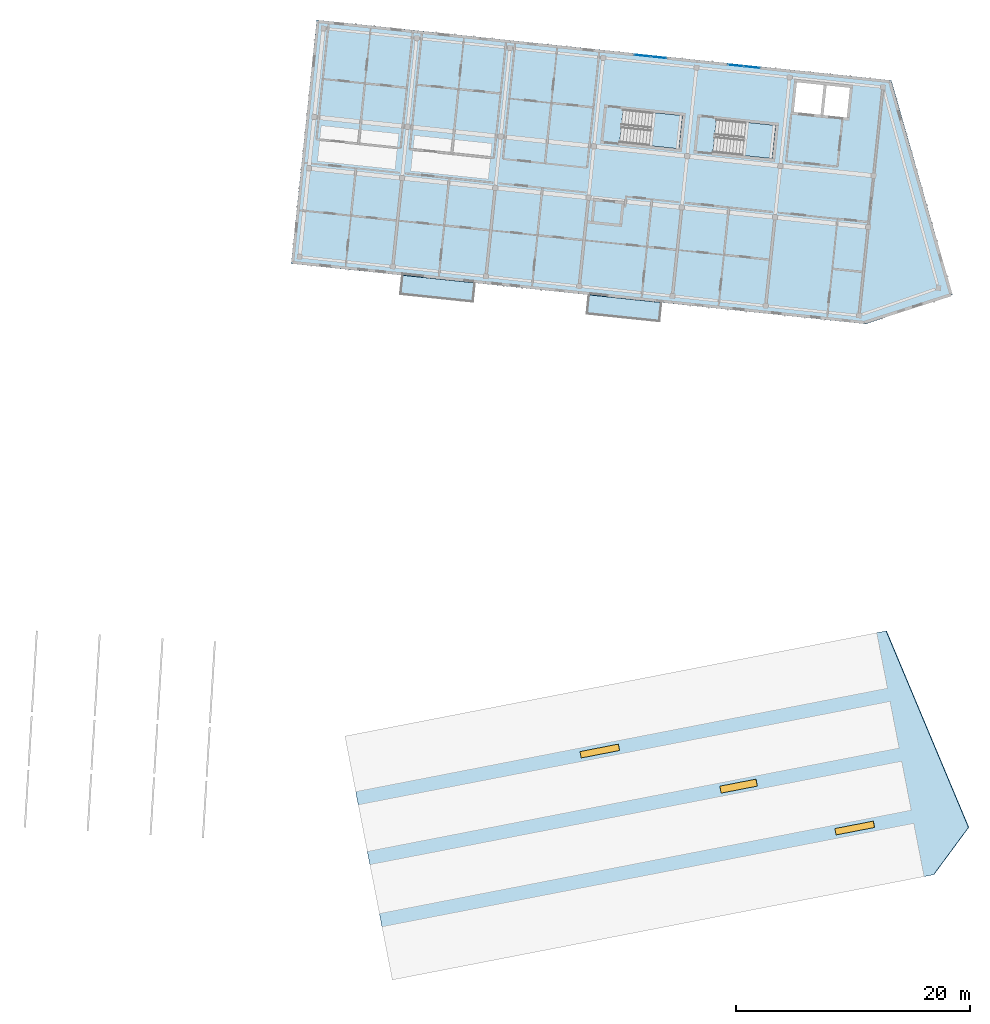
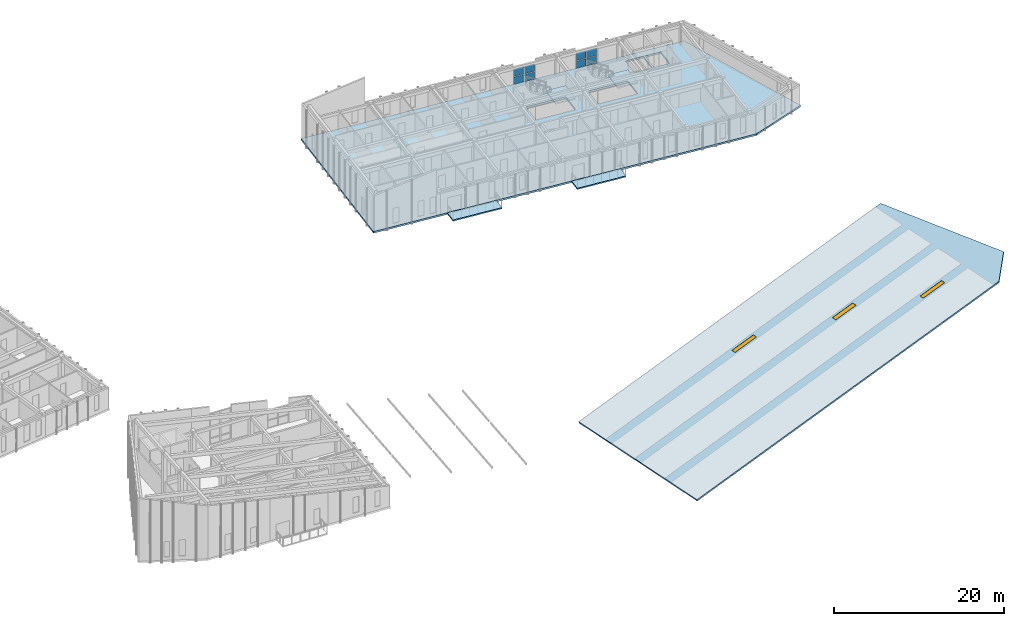
# One storey, part 16 of 45: 8 plates, 6 slabs, 3 windows, 3 openings, 4 elements without a shape of their own.
"""IFC4 building model written with IfcOpenShell, lengths in metres."""

from ifc_helpers import new_model, si_unit, direction, frame, origin, origin_2d, place, context, subcontext, project, spatial, polyline, rectangle, outline, extrude, material, layer, layer_set, type_object, element, fill, aggregate, save


model = new_model("IFC4")

# Units and contexts
model_context = context("Model", 3, precision=1e-05, world=origin(), true_north=direction((0.0, 1.0)))
body_context = subcontext(model_context, "Body", "Model", "MODEL_VIEW")
ifc_project = project(units=[si_unit("LENGTHUNIT", "METRE"), si_unit("AREAUNIT", "SQUARE_METRE"), si_unit("VOLUMEUNIT", "CUBIC_METRE"), si_unit("PLANEANGLEUNIT", "RADIAN"), si_unit("MASSUNIT", "GRAM", prefix="KILO")], contexts=[model_context])

# Site, building, storey
site_placement = place(None, origin())
site = spatial("IfcSite", under=ifc_project, at=site_placement, CompositionType="ELEMENT")
building_placement = place(site_placement, origin())
building = spatial("IfcBuilding", under=site, at=building_placement, Name="Kestramere Prow Commons", CompositionType="ELEMENT")
storey_placement = place(building_placement, frame((0.0, 0.0, 31.14990234375)))
storey = spatial("IfcBuildingStorey", under=building, at=storey_placement, Name="L09", CompositionType="ELEMENT", Elevation=31.14990234375)

# Curtain wall, plates
ifc_material_1 = material(Name="Anodised Aluminium and Low-E Glass", Category="aluminium")
curtain_wall_type = type_object("IfcCurtainWallType", Name="CW-03 Glazed Curtain Wall 2830x2320", PredefinedType="USERDEFINED", material=ifc_material_1)
curtain_wall_1_placement = place(storey_placement, origin())
curtain_wall_1 = element("IfcCurtainWall", 1, at=curtain_wall_1_placement, inside=storey, type_object=curtain_wall_type, Name="Block B L09 Stairwell Vertical Glazing 4", ObjectType="GLAZED CURTAIN WALL", PredefinedType="USERDEFINED")
ifc_material_2 = material(Name="Low-E Laminated Double Glazing", Category="glass")
ifc_layer_1 = layer(ifc_material_2, 0.028076171875)
ifc_layer_set_1 = layer_set([ifc_layer_1], Name="Low-E Laminated Double Glazing")
plate_type = type_object("IfcPlateType", Name="CW-PNL-28", PredefinedType="CURTAIN_PANEL", material=ifc_layer_set_1)
plate_1_placement = place(storey_placement, frame((139.2626953125, 111.960205078125, 0.065185546875), z_axis=(0.0, 0.0, 1.0), x_axis=(0.994521879016, -0.104528618845, 0.0)))
plate_1 = element("IfcPlate", 2, at=plate_1_placement, type_object=plate_type, Name="CW-03 panel 1.1", PredefinedType="CURTAIN_PANEL", context=body_context, shape_type="SweptSolid", body=[
    extrude(rectangle(XDim=1.3173828125, YDim=0.028076171875, at=origin_2d()), origin(), (0.0, 0.0, 1.0), 1.0625),
])
plate_2_placement = place(storey_placement, frame((139.2626953125, 111.960205078125, 1.192626953125), z_axis=(0.0, 0.0, 1.0), x_axis=(0.994521879016, -0.104528618845, 0.0)))
plate_2 = element("IfcPlate", 3, at=plate_2_placement, type_object=plate_type, Name="CW-03 panel 1.2", PredefinedType="CURTAIN_PANEL", context=body_context, shape_type="SweptSolid", body=[
    extrude(rectangle(XDim=1.3173828125, YDim=0.028076171875, at=origin_2d()), origin(), (0.0, 0.0, 1.0), 1.0625),
])
plate_3_placement = place(storey_placement, frame((140.6376953125, 111.815673828125, 0.065185546875), z_axis=(0.0, 0.0, 1.0), x_axis=(0.994521879016, -0.104528618845, 0.0)))
plate_3 = element("IfcPlate", 4, at=plate_3_placement, type_object=plate_type, Name="CW-03 panel 2.1", PredefinedType="CURTAIN_PANEL", context=body_context, shape_type="SweptSolid", body=[
    extrude(rectangle(XDim=1.3173828125, YDim=0.028076171875, at=origin_2d()), origin(), (0.0, 0.0, 1.0), 1.0625),
])
plate_4_placement = place(storey_placement, frame((140.6376953125, 111.815673828125, 1.192626953125), z_axis=(0.0, 0.0, 1.0), x_axis=(0.994521879016, -0.104528618845, 0.0)))
plate_4 = element("IfcPlate", 5, at=plate_4_placement, type_object=plate_type, Name="CW-03 panel 2.2", PredefinedType="CURTAIN_PANEL", context=body_context, shape_type="SweptSolid", body=[
    extrude(rectangle(XDim=1.3173828125, YDim=0.028076171875, at=origin_2d()), origin(), (0.0, 0.0, 1.0), 1.0625),
])
aggregate(curtain_wall_1, [plate_1, plate_2, plate_3, plate_4])

curtain_wall_2_placement = place(storey_placement, origin())
curtain_wall_2 = element("IfcCurtainWall", 6, at=curtain_wall_2_placement, inside=storey, type_object=curtain_wall_type, Name="Block B L09 Stairwell Vertical Glazing 5", ObjectType="GLAZED CURTAIN WALL", PredefinedType="USERDEFINED")
plate_5_placement = place(storey_placement, frame((147.218994140625, 111.1240234375, 0.065185546875), z_axis=(0.0, 0.0, 1.0), x_axis=(0.99452191575, -0.104528269348, 0.0)))
plate_5 = element("IfcPlate", 7, at=plate_5_placement, type_object=plate_type, Name="CW-03 panel 1.1", PredefinedType="CURTAIN_PANEL", context=body_context, shape_type="SweptSolid", body=[
    extrude(rectangle(XDim=1.3173828125, YDim=0.028076171875, at=origin_2d()), origin(), (0.0, 0.0, 1.0), 1.0625),
])
plate_6_placement = place(storey_placement, frame((147.218994140625, 111.1240234375, 1.192626953125), z_axis=(0.0, 0.0, 1.0), x_axis=(0.99452191575, -0.104528269348, 0.0)))
plate_6 = element("IfcPlate", 8, at=plate_6_placement, type_object=plate_type, Name="CW-03 panel 1.2", PredefinedType="CURTAIN_PANEL", context=body_context, shape_type="SweptSolid", body=[
    extrude(rectangle(XDim=1.3173828125, YDim=0.028076171875, at=origin_2d()), origin(), (0.0, 0.0, 1.0), 1.0625),
])
plate_7_placement = place(storey_placement, frame((148.593994140625, 110.9794921875, 0.065185546875), z_axis=(0.0, 0.0, 1.0), x_axis=(0.99452191575, -0.104528269348, 0.0)))
plate_7 = element("IfcPlate", 9, at=plate_7_placement, type_object=plate_type, Name="CW-03 panel 2.1", PredefinedType="CURTAIN_PANEL", context=body_context, shape_type="SweptSolid", body=[
    extrude(rectangle(XDim=1.3173828125, YDim=0.028076171875, at=origin_2d()), origin(), (0.0, 0.0, 1.0), 1.0625),
])
plate_8_placement = place(storey_placement, frame((148.593994140625, 110.9794921875, 1.192626953125), z_axis=(0.0, 0.0, 1.0), x_axis=(0.99452191575, -0.104528269348, 0.0)))
plate_8 = element("IfcPlate", 10, at=plate_8_placement, type_object=plate_type, Name="CW-03 panel 2.2", PredefinedType="CURTAIN_PANEL", context=body_context, shape_type="SweptSolid", body=[
    extrude(rectangle(XDim=1.3173828125, YDim=0.028076171875, at=origin_2d()), origin(), (0.0, 0.0, 1.0), 1.0625),
])
aggregate(curtain_wall_2, [plate_5, plate_6, plate_7, plate_8])

# Slabs
ifc_material_3 = material(Name="Precast concrete C40/50", Category="concrete")
ifc_layer_2 = layer(ifc_material_3, 0.179931640625)
ifc_layer_set_2 = layer_set([ifc_layer_2], Name="Precast concrete C40/50")
slab_type_1 = type_object("IfcSlabType", Name="SL-BALC-180", PredefinedType="FLOOR", material=ifc_layer_set_2)
slab_1_placement = place(storey_placement, frame((0.0, 0.0, -0.179931640625)))
element("IfcSlab", 11, at=slab_1_placement, inside=storey, type_object=slab_type_1, Name="Block B L09 Apartment Balcony Slab 2", PredefinedType="FLOOR", context=body_context, shape_type="SweptSolid", body=[
    extrude(outline(polyline([(118.56103515625, 91.58740234375), (124.82666015625, 90.928955078125), (124.9990234375, 92.570068359375), (118.733642578125, 93.228515625), (118.56103515625, 91.58740234375)])), origin(), (0.0, 0.0, 1.0), 0.179931640625),
])
slab_2_placement = place(storey_placement, frame((0.0, 0.0, -0.179931640625)))
element("IfcSlab", 12, at=slab_2_placement, inside=storey, type_object=slab_type_1, Name="Block B L09 Apartment Balcony Slab 4", PredefinedType="FLOOR", context=body_context, shape_type="SweptSolid", body=[
    extrude(outline(polyline([(134.473388671875, 89.9150390625), (140.739013671875, 89.256591796875), (140.911376953125, 90.8974609375), (134.64599609375, 91.555908203125), (134.473388671875, 89.9150390625)])), origin(), (0.0, 0.0, 1.0), 0.179931640625),
])
ifc_layer_3 = layer(ifc_material_3, 0.25)
ifc_layer_set_3 = layer_set([ifc_layer_3], Name="Precast concrete C40/50")
slab_type_2 = type_object("IfcSlabType", Name="SL-HC-250", PredefinedType="FLOOR", material=ifc_layer_set_3)
slab_3_placement = place(storey_placement, frame((0.0, 0.0, -0.25)))
element("IfcSlab", 13, at=slab_3_placement, inside=storey, type_object=slab_type_2, Name="Block B L09 Hollowcore Floor Slab", PredefinedType="FLOOR", context=body_context, shape_type="SweptSolid", body=[
    extrude(outline(polyline([(109.28564453125, 94.221435546875), (158.3154296875, 89.068359375), (165.71630859375, 91.558349609375), (160.500244140625, 109.853759765625), (111.47021484375, 115.007080078125), (109.28564453125, 94.221435546875)]), holes=[polyline([(152.1728515625, 107.159423828125), (154.46044921875, 106.9189453125), (154.726806640625, 109.455078125), (152.439453125, 109.695556640625), (152.1728515625, 107.159423828125)]), polyline([(154.708984375, 106.892822265625), (156.697998046875, 106.683837890625), (156.964599609375, 109.219970703125), (154.9755859375, 109.428955078125), (154.708984375, 106.892822265625)]), polyline([(137.318603515625, 104.5478515625), (142.390625, 104.0146484375), (142.6884765625, 106.84912109375), (137.616455078125, 107.38232421875), (137.318603515625, 104.5478515625)]), polyline([(145.274658203125, 103.711669921875), (150.346923828125, 103.178466796875), (150.644775390625, 106.012939453125), (145.57275390625, 106.5458984375), (145.274658203125, 103.711669921875)])]), origin(), (0.0, 0.0, 1.0), 0.25),
])

# Slab, openings, windows
ifc_layer_4 = layer(ifc_material_3, 0.219970703125)
ifc_layer_set_4 = layer_set([ifc_layer_4], Name="Precast concrete C40/50")
slab_type_3 = type_object("IfcSlabType", Name="SL-ROOF-PROW-220", PredefinedType="ROOF", material=ifc_layer_set_4)
slab_4_placement = place(storey_placement, frame((117.91455078125, 33.090576171875, -4.449951171875), z_axis=(-0.198946324893, -0.03867130053, 0.979247103813), x_axis=(0.961255661464, 0.186848718566, 0.202669952566)))
slab_4 = element("IfcSlab", 14, at=slab_4_placement, inside=storey, type_object=slab_type_3, Name="Block D Steep Standing-Seam Prow Roof Slab", PredefinedType="ROOF", context=body_context, shape_type="SweptSolid", body=[
    extrude(outline(polyline([(0.0, 0.0), (48.04711812019626, 2.026644910918529e-15), (51.825656323308394, 3.4001494175737053), (48.047103402362325, 21.200052578480157), (-1.4717833936916946e-05, 21.200052578480154), (0.0, 0.0)])), origin(), (0.0, 0.0, -1.0), 0.219970703125),
])
opening_1_placement = place(slab_4_placement, frame((42.078369140625, 5.2001953125, 0.0), z_axis=(0.0, 0.0, 1.0), x_axis=(0.0, -1.0, 0.0)))
opening_1 = element("IfcOpeningElement", 15, at=opening_1_placement, cuts=slab_4, Name="Opening SK-01", PredefinedType="OPENING", context=body_context, shape_type="SweptSolid", body=[
    extrude(rectangle(XDim=0.550048828125, YDim=3.39990234375, at=origin_2d()), frame((0.0, 0.0, 0.014892578125), z_axis=(0.0, 0.0, -1.0), x_axis=(1.0, 0.0, 0.0)), (0.0, 0.0, 1.0), 0.25),
])
opening_2_placement = place(slab_4_placement, frame((32.841552734375, 10.60009765625, 0.0), z_axis=(0.0, 0.0, 1.0), x_axis=(0.0, -1.0, 0.0)))
opening_2 = element("IfcOpeningElement", 16, at=opening_2_placement, cuts=slab_4, Name="Opening SK-02", PredefinedType="OPENING", context=body_context, shape_type="SweptSolid", body=[
    extrude(rectangle(XDim=0.60009765625, YDim=3.199951171875, at=origin_2d()), frame((0.0, 0.0, 0.014892578125), z_axis=(0.0, 0.0, -1.0), x_axis=(1.0, 0.0, 0.0)), (0.0, 0.0, 1.0), 0.25),
])
opening_3_placement = place(slab_4_placement, frame((21.55224609375, 15.800048828125, 0.0), z_axis=(0.0, 0.0, 1.0), x_axis=(0.0, -1.0, 0.0)))
opening_3 = element("IfcOpeningElement", 17, at=opening_3_placement, cuts=slab_4, Name="Opening SK-01", PredefinedType="OPENING", context=body_context, shape_type="SweptSolid", body=[
    extrude(rectangle(XDim=0.550048828125, YDim=3.39990234375, at=origin_2d()), frame((0.0, 0.0, 0.014892578125), z_axis=(0.0, 0.0, -1.0), x_axis=(1.0, 0.0, 0.0)), (0.0, 0.0, 1.0), 0.25),
])
ifc_material_4 = material(Name="Triple-Laminated Solar-Control Skylight Glazing", Category="glass")
window_type_1 = type_object("IfcWindowType", Name="SK-PROW-2400", PartitioningType="SINGLE_PANEL", PredefinedType="SKYLIGHT", material=ifc_material_4)
window_1_placement = place(opening_1_placement, frame((0.0, 0.0, -0.010009765625)))
window_1 = element("IfcWindow", 18, at=window_1_placement, inside=storey, type_object=window_type_1, Name="Block D Prow Linear Slot Skylight 1", OverallHeight=3.39990234375, OverallWidth=0.550048828125, PartitioningType="SINGLE_PANEL", PredefinedType="SKYLIGHT", context=body_context, shape_type="SweptSolid", body=[
    extrude(rectangle(XDim=0.550048828125, YDim=3.39990234375, at=origin_2d()), frame((0.0, 0.0, 0.0), z_axis=(0.0, 0.0, -1.0), x_axis=(1.0, 0.0, 0.0)), (0.0, 0.0, 1.0), 0.06005859375),
])
fill(opening_1, window_1)
window_2_placement = place(opening_3_placement, frame((0.0, 0.0, -0.010009765625)))
window_2 = element("IfcWindow", 19, at=window_2_placement, inside=storey, type_object=window_type_1, Name="Block D Prow Linear Slot Skylight 3", OverallHeight=3.39990234375, OverallWidth=0.550048828125, PartitioningType="SINGLE_PANEL", PredefinedType="SKYLIGHT", context=body_context, shape_type="SweptSolid", body=[
    extrude(rectangle(XDim=0.550048828125, YDim=3.39990234375, at=origin_2d()), frame((0.0, 0.0, 0.0), z_axis=(0.0, 0.0, -1.0), x_axis=(1.0, 0.0, 0.0)), (0.0, 0.0, 1.0), 0.06005859375),
])
fill(opening_3, window_2)
window_type_2 = type_object("IfcWindowType", Name="SK-PROW-3000", PartitioningType="SINGLE_PANEL", PredefinedType="SKYLIGHT", material=ifc_material_4)
window_3_placement = place(opening_2_placement, frame((0.0, 0.0, -0.010009765625)))
window_3 = element("IfcWindow", 20, at=window_3_placement, inside=storey, type_object=window_type_2, Name="Block D Prow Linear Slot Skylight 2", OverallHeight=3.199951171875, OverallWidth=0.60009765625, PartitioningType="SINGLE_PANEL", PredefinedType="SKYLIGHT", context=body_context, shape_type="SweptSolid", body=[
    extrude(rectangle(XDim=0.60009765625, YDim=3.199951171875, at=origin_2d()), frame((0.0, 0.0, 0.0), z_axis=(0.0, 0.0, -1.0), x_axis=(1.0, 0.0, 0.0)), (0.0, 0.0, 1.0), 0.06005859375),
])
fill(opening_2, window_3)

# Stair, slab
ifc_material_5 = material(Name="Concrete C40/50", Category="concrete")
stair_type = type_object("IfcStairType", Name="ST-DOG-1350", PredefinedType="HALF_TURN_STAIR", material=ifc_material_5)
stair_1_placement = place(storey_placement, origin())
stair_1 = element("IfcStair", 21, at=stair_1_placement, inside=storey, type_object=stair_type, Name="L09 Block B Exit Stair 1", PredefinedType="HALF_TURN_STAIR")
ifc_layer_5 = layer(ifc_material_5, 0.199951171875)
ifc_layer_set_5 = layer_set([ifc_layer_5], Name="Concrete C40/50")
slab_type_4 = type_object("IfcSlabType", Name="SL-ST-LAND-200", PredefinedType="LANDING", material=ifc_layer_set_5)
slab_5_placement = place(storey_placement, frame((0.0, 0.0, 1.425048828125)))
slab_5 = element("IfcSlab", 22, at=slab_5_placement, type_object=slab_type_4, Name="ST-B1 landing 1", PredefinedType="LANDING", context=body_context, shape_type="SweptSolid", body=[
    extrude(outline(polyline([(139.82470703125, 104.284423828125), (142.390625, 104.0146484375), (142.6884765625, 106.84912109375), (140.122802734375, 107.118896484375), (139.82470703125, 104.284423828125)])), origin(), (0.0, 0.0, 1.0), 0.199951171875),
])
aggregate(stair_1, [slab_5])

stair_2_placement = place(storey_placement, origin())
stair_2 = element("IfcStair", 23, at=stair_2_placement, inside=storey, type_object=stair_type, Name="L09 Block B Exit Stair 2", PredefinedType="HALF_TURN_STAIR")
slab_6_placement = place(storey_placement, frame((0.0, 0.0, 1.425048828125)))
slab_6 = element("IfcSlab", 24, at=slab_6_placement, type_object=slab_type_4, Name="ST-B2 landing 1", PredefinedType="LANDING", context=body_context, shape_type="SweptSolid", body=[
    extrude(outline(polyline([(147.781005859375, 103.4482421875), (150.346923828125, 103.178466796875), (150.644775390625, 106.012939453125), (148.078857421875, 106.282470703125), (147.781005859375, 103.4482421875)])), origin(), (0.0, 0.0, 1.0), 0.199951171875),
])
aggregate(stair_2, [slab_6])

save(model, "model.ifc")
